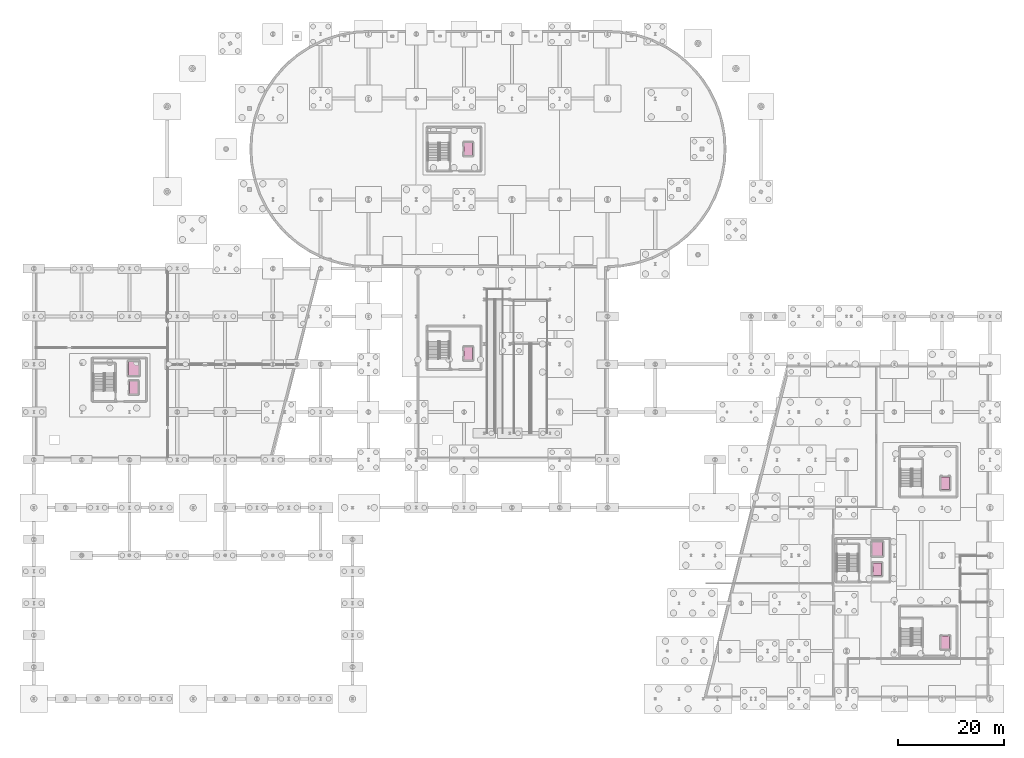
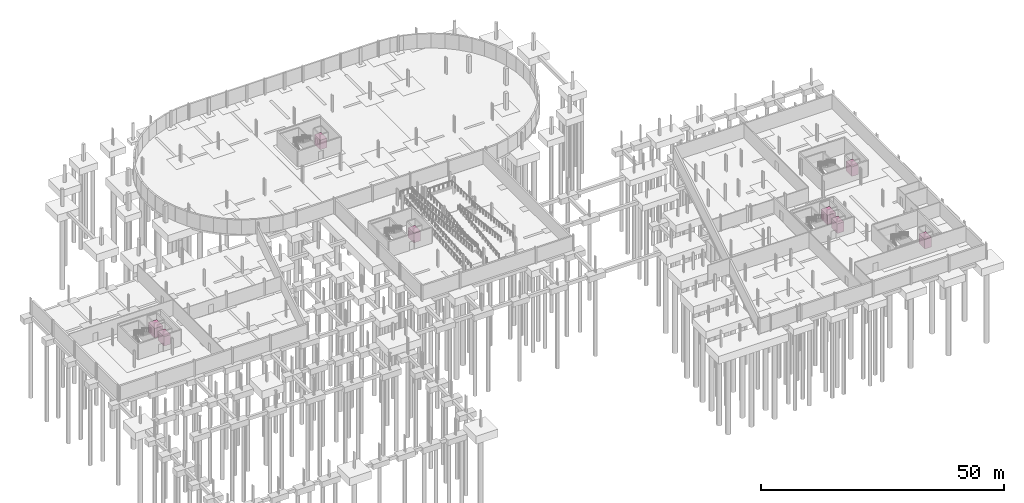
# One storey, part 42 of 42: 8 transport elements.
"""IFC4 building model written with IfcOpenShell, lengths in metres."""

from ifc_helpers import new_model, si_unit, direction, frame, origin, origin_2d, place, context, subcontext, project, spatial, rectangle, extrude, material, type_object, element, save


model = new_model("IFC4")

# Units and contexts
model_context = context("Model", 3, precision=1e-05, world=origin(), true_north=direction((0.0, 1.0)))
body_context = subcontext(model_context, "Body", "Model", "MODEL_VIEW")
ifc_project = project(units=[si_unit("LENGTHUNIT", "METRE"), si_unit("AREAUNIT", "SQUARE_METRE"), si_unit("VOLUMEUNIT", "CUBIC_METRE"), si_unit("PLANEANGLEUNIT", "RADIAN"), si_unit("MASSUNIT", "GRAM", prefix="KILO")], contexts=[model_context])

# Site, building, storey
site_placement = place(None, origin())
site = spatial("IfcSite", under=ifc_project, at=site_placement, CompositionType="ELEMENT")
building_placement = place(site_placement, origin())
building = spatial("IfcBuilding", under=site, at=building_placement, Name="Deido Ridge Mobility Hub", CompositionType="ELEMENT")
storey_placement = place(building_placement, frame((0.0, 0.0, -4.199951171875)))
storey = spatial("IfcBuildingStorey", under=building, at=storey_placement, Name="B1", CompositionType="ELEMENT", Elevation=-4.199951171875)

# Transport elements
ifc_material = material(Name="Stainless steel 316", Category="steel")
transport_element_type_1 = type_object("IfcTransportElementType", Name="LFT-FF-1600X2400", PredefinedType="ELEVATOR", material=ifc_material)
for number, where, z_axis, x_axis, name in (
    (1, (171.60009765625, 10.60009765625, 0.0), (0.0, 0.0, 1.0), (1.0, 0.0, 0.0), "Firefighting lift FL1"),
    (2, (171.60009765625, 40.60009765625, 0.0), (0.0, 0.0, 1.0), (1.0, 0.0, 0.0), "Firefighting lift FL2"),
):
    element("IfcTransportElement", number, at=place(storey_placement, frame(where, z_axis=z_axis, x_axis=x_axis)), inside=storey, type_object=transport_element_type_1, Name=name, PredefinedType="ELEVATOR", context=body_context, shape_type="SweptSolid", body=[
        extrude(rectangle(XDim=1.60009765625, YDim=2.39990234375, at=origin_2d()), origin(), (0.0, 0.0, 1.0), 2.39990234375),
    ])
transport_element_type_2 = type_object("IfcTransportElementType", Name="LFT-GDS-2000X2600", PredefinedType="ELEVATOR", material=ifc_material)
for number, where, z_axis, x_axis, name in (
    (3, (158.800048828125, 28.199951171875, 0.0), (0.0, 0.0, 1.0), (1.0, 0.0, 0.0), "Goods lift GL1"),
    (4, (18.800048828125, 62.199951171875, 0.0), (0.0, 0.0, 1.0), (1.0, 0.0, 0.0), "Goods lift GL2"),
):
    element("IfcTransportElement", number, at=place(storey_placement, frame(where, z_axis=z_axis, x_axis=x_axis)), inside=storey, type_object=transport_element_type_2, Name=name, PredefinedType="ELEVATOR", context=body_context, shape_type="SweptSolid", body=[
        extrude(rectangle(XDim=2.0, YDim=2.60009765625, at=origin_2d()), origin(), (0.0, 0.0, 1.0), 2.39990234375),
    ])
transport_element_type_3 = type_object("IfcTransportElementType", Name="LFT-PAS-1600X2400", PredefinedType="ELEVATOR", material=ifc_material)
for number, where, z_axis, x_axis, name in (
    (5, (158.800048828125, 24.39990234375, 0.0), (0.0, 0.0, 1.0), (1.0, 0.0, 0.0), "Passenger lift PL1"),
    (6, (81.800048828125, 65.0, 0.0), (0.0, 0.0, 1.0), (1.0, 0.0, 0.0), "Passenger lift PL2"),
    (7, (81.800048828125, 103.5, 0.0), (0.0, 0.0, 1.0), (1.0, 0.0, 0.0), "Passenger lift PL3"),
    (8, (18.800048828125, 58.60009765625, 0.0), (0.0, 0.0, 1.0), (1.0, 0.0, 0.0), "Passenger lift PL4"),
):
    element("IfcTransportElement", number, at=place(storey_placement, frame(where, z_axis=z_axis, x_axis=x_axis)), inside=storey, type_object=transport_element_type_3, Name=name, PredefinedType="ELEVATOR", context=body_context, shape_type="SweptSolid", body=[
        extrude(rectangle(XDim=1.60009765625, YDim=2.39990234375, at=origin_2d()), origin(), (0.0, 0.0, 1.0), 2.39990234375),
    ])

save(model, "model.ifc")
